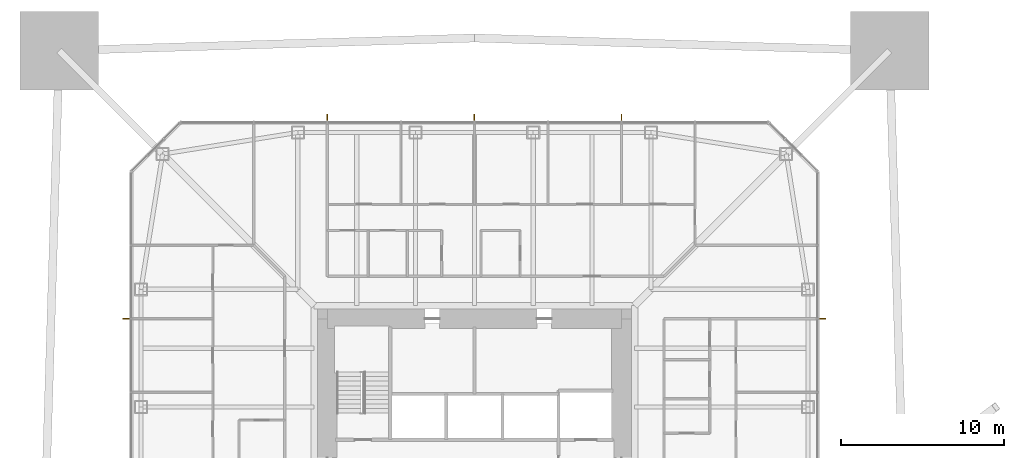
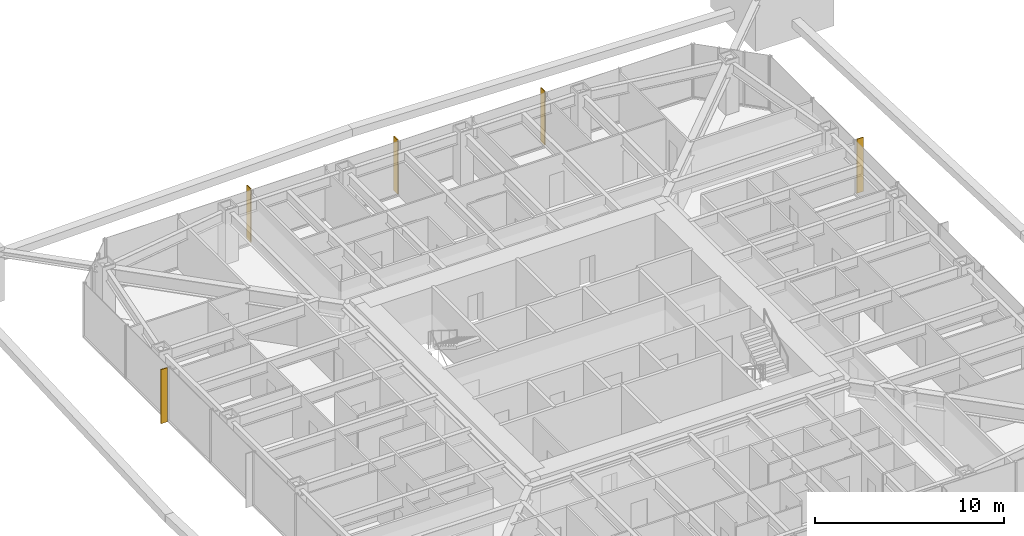
# One storey, part 26 of 27: 5 shading devices.
"""IFC4 building model written with IfcOpenShell, lengths in metres."""

from ifc_helpers import new_model, si_unit, direction, frame, origin, origin_2d, place, context, subcontext, project, spatial, rectangle, extrude, material, layer, layer_set, type_object, element, save


model = new_model("IFC4")

# Units and contexts
model_context = context("Model", 3, precision=1e-05, world=origin(), true_north=direction((0.0, 1.0)))
body_context = subcontext(model_context, "Body", "Model", "MODEL_VIEW")
ifc_project = project(units=[si_unit("LENGTHUNIT", "METRE"), si_unit("AREAUNIT", "SQUARE_METRE"), si_unit("VOLUMEUNIT", "CUBIC_METRE"), si_unit("PLANEANGLEUNIT", "RADIAN"), si_unit("MASSUNIT", "GRAM", prefix="KILO")], contexts=[model_context])

# Site, building, storey
site_placement = place(None, origin())
site = spatial("IfcSite", under=ifc_project, at=site_placement, CompositionType="ELEMENT")
building_placement = place(site_placement, origin())
building = spatial("IfcBuilding", under=site, at=building_placement, Name="Iwan Alto Co-Living Towers", CompositionType="ELEMENT")
storey_placement = place(building_placement, frame((0.0, 0.0, 91.0)))
storey = spatial("IfcBuildingStorey", under=building, at=storey_placement, Name="L24", CompositionType="ELEMENT", Elevation=91.0)

# Shading devices
ifc_material = material(Name="Aluminium 6063-T6 bronze anodised", Category="aluminium")
ifc_layer = layer(ifc_material, 0.050048828125)
ifc_layer_set = layer_set([ifc_layer], Name="BRONZE FIN 50X400")
shading_device_type = type_object("IfcShadingDeviceType", Name="BRONZE FIN 50X400", PredefinedType="USERDEFINED", material=ifc_layer_set)
for number, where, z_axis, x_axis, name in (
    (1, (21.300048828125, 9.0, 0.0), (0.0, 0.0, 1.0), (0.0, 1.0, 0.0), "Bronze fin L24"),
    (2, (9.0, 21.300048828125, 0.0), (0.0, 0.0, 1.0), (-1.0, 0.0, 0.0), "Bronze fin L24"),
    (3, (0.0, 21.300048828125, 0.0), (0.0, 0.0, 1.0), (-1.0, 0.0, 0.0), "Bronze fin L24"),
    (4, (-9.0, 21.300048828125, 0.0), (0.0, 0.0, 1.0), (-1.0, 0.0, 0.0), "Bronze fin L24"),
    (5, (-21.300048828125, 9.0, 0.0), (0.0, 0.0, 1.0), (0.0, -1.0, 0.0), "Bronze fin L24"),
):
    element("IfcShadingDevice", number, at=place(storey_placement, frame(where, z_axis=z_axis, x_axis=x_axis)), inside=storey, type_object=shading_device_type, Name=name, ObjectType="LOUVER", PredefinedType="USERDEFINED", context=body_context, shape_type="SweptSolid", body=[
        extrude(rectangle(XDim=0.050048828125, YDim=0.39990234375, at=origin_2d()), origin(), (0.0, 0.0, 1.0), 3.5),
    ])

save(model, "model.ifc")
